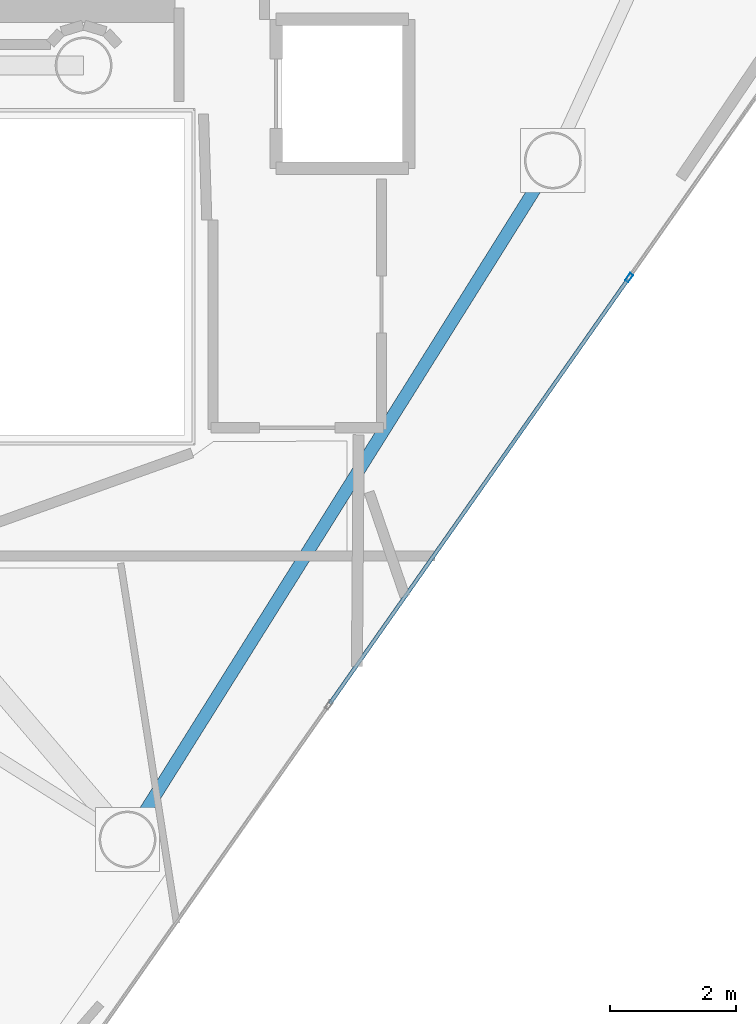
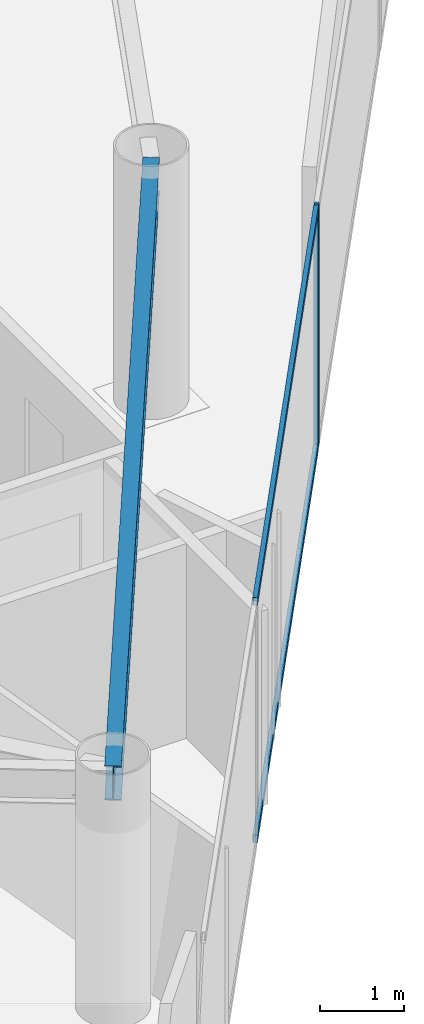
# One storey, part 6 of 19: 3 members, 1 beam, 1 element without a shape of its own.
"""IFC4 building model written with IfcOpenShell, lengths in metres."""

from ifc_helpers import new_model, si_unit, direction, frame, origin, origin_2d, place, context, subcontext, project, spatial, hollow_rectangle, i_section, extrude, material, layer, layer_set, material_profile, profile_set, type_object, element, aggregate, save


model = new_model("IFC4")

# Units and contexts
model_context = context("Model", 3, precision=1e-05, world=origin(), true_north=direction((0.0, 1.0)))
body_context = subcontext(model_context, "Body", "Model", "MODEL_VIEW")
ifc_project = project(units=[si_unit("LENGTHUNIT", "METRE"), si_unit("AREAUNIT", "SQUARE_METRE"), si_unit("VOLUMEUNIT", "CUBIC_METRE"), si_unit("PLANEANGLEUNIT", "RADIAN"), si_unit("MASSUNIT", "GRAM", prefix="KILO")], contexts=[model_context])

# Site, building, storey
site_placement = place(None, origin())
site = spatial("IfcSite", under=ifc_project, at=site_placement, CompositionType="ELEMENT")
building_placement = place(site_placement, origin())
building = spatial("IfcBuilding", under=site, at=building_placement, Name="Qianvela Tower", CompositionType="ELEMENT")
storey_placement = place(building_placement, frame((0.0, 0.0, 280.60009765625)))
storey = spatial("IfcBuildingStorey", under=building, at=storey_placement, Name="L72", CompositionType="ELEMENT", Elevation=280.60009765625)

# Beam
ifc_material_1 = material(Name="Steel Q355B", Category="steel")
ifc_material_profile_1 = material_profile(ifc_material_1, i_section(OverallWidth=0.199951171875, OverallDepth=0.5, WebThickness=0.010009765625, FlangeThickness=0.01611328125, at=origin_2d()), Name="HN500x200x10x16")
ifc_profile_set_1 = profile_set([ifc_material_profile_1], Name="Steel Q355B")
beam_type = type_object("IfcBeamType", Name="BM-HN500-GIRD", PredefinedType="BEAM", material=ifc_profile_set_1)
beam_placement = place(storey_placement, frame((39.095947265625, 11.587890625, 3.267822265625), z_axis=(0.530840654868, 0.847471650935, 0.0), x_axis=(-0.847471650935, 0.530840654868, 0.0)))
element("IfcBeam", 1, at=beam_placement, inside=storey, type_object=beam_type, Name="L72 Perimeter Ring Spandrel Girder 5", PredefinedType="BEAM", context=body_context, shape_type="SweptSolid", body=[
    extrude(i_section(OverallWidth=0.199951171875, OverallDepth=0.5, WebThickness=0.010009765625, FlangeThickness=0.01611328125, at=origin_2d()), origin(), (0.0, 0.0, 1.0), 12.693115234375),
])

# Curtain wall, members
ifc_material_2 = material(Name="Anodised Architectural Aluminium and Low-E Glass", Category="aluminium")
ifc_layer = layer(ifc_material_2, 0.14990234375)
ifc_layer_set = layer_set([ifc_layer], Name="Anodised Architectural Aluminium and Low-E Glass")
curtain_wall_type = type_object("IfcCurtainWallType", Name="CW-COLIV-Z78", PredefinedType="USERDEFINED", material=ifc_layer_set)
curtain_wall_placement = place(storey_placement, origin())
curtain_wall = element("IfcCurtainWall", 2, at=curtain_wall_placement, inside=storey, type_object=curtain_wall_type, Name="L72 CW-COLIV-Z78 Curtain Wall 06A", ObjectType="CURTAIN_WALL_SYSTEM", PredefinedType="USERDEFINED")
ifc_material_3 = material(Name="Anodised Architectural Aluminium 6063-T6", Category="aluminium")
ifc_material_profile_2 = material_profile(ifc_material_3, hollow_rectangle(XDim=0.06005859375, YDim=0.139892578125, WallThickness=0.00439453125, at=origin_2d()), Name="ALU-MULL-60x140")
ifc_profile_set_2 = profile_set([ifc_material_profile_2], Name="Anodised Architectural Aluminium 6063-T6")
member_type_1 = type_object("IfcMemberType", Name="CW-COLIV-Z78-MULL", PredefinedType="MULLION", material=ifc_profile_set_2)
member_1_placement = place(storey_placement, frame((47.04150390625, 20.48876953125, 0.0), z_axis=(0.0, 0.0, 1.0), x_axis=(-0.818279655571, 0.574820324344, 0.0)))
member_1 = element("IfcMember", 3, at=member_1_placement, type_object=member_type_1, Name="CW-6 mullion 3", PredefinedType="MULLION", context=body_context, shape_type="SweptSolid", body=[
    extrude(hollow_rectangle(XDim=0.06005859375, YDim=0.139892578125, WallThickness=0.00439453125, at=origin_2d()), origin(), (0.0, 0.0, 1.0), 3.52001953125),
])
ifc_material_4 = material(Name="Anodised Architectural Aluminium 6063-T6", Category="aluminium")
ifc_material_profile_3 = material_profile(ifc_material_4, hollow_rectangle(XDim=0.06005859375, YDim=0.114990234375, WallThickness=0.00390625, at=origin_2d()), Name="ALU-TRAN-60x115")
ifc_profile_set_3 = profile_set([ifc_material_profile_3], Name="Anodised Architectural Aluminium 6063-T6")
member_type_2 = type_object("IfcMemberType", Name="CW-COLIV-Z78-TRAN", PredefinedType="USERDEFINED", material=ifc_profile_set_3)
member_2_placement = place(storey_placement, frame((42.301025390625, 13.740478515625, 0.02978515625), z_axis=(0.574817564419, 0.81828159434, 0.0), x_axis=(-0.81828159434, 0.574817564419, 0.0)))
member_2 = element("IfcMember", 4, at=member_2_placement, type_object=member_type_2, Name="CW-6 transom 2.1", ObjectType="TRANSOM", PredefinedType="USERDEFINED", context=body_context, shape_type="SweptSolid", body=[
    extrude(hollow_rectangle(XDim=0.06005859375, YDim=0.114990234375, WallThickness=0.00390625, at=origin_2d()), origin(), (0.0, 0.0, 1.0), 8.216796875),
])
member_3_placement = place(storey_placement, frame((42.301025390625, 13.740478515625, 3.489990234375), z_axis=(0.574817564419, 0.81828159434, 0.0), x_axis=(-0.81828159434, 0.574817564419, 0.0)))
member_3 = element("IfcMember", 5, at=member_3_placement, type_object=member_type_2, Name="CW-6 transom 2.2", ObjectType="TRANSOM", PredefinedType="USERDEFINED", context=body_context, shape_type="SweptSolid", body=[
    extrude(hollow_rectangle(XDim=0.06005859375, YDim=0.114990234375, WallThickness=0.00390625, at=origin_2d()), origin(), (0.0, 0.0, 1.0), 8.216796875),
])
aggregate(curtain_wall, [member_1, member_2, member_3])

save(model, "model.ifc")
